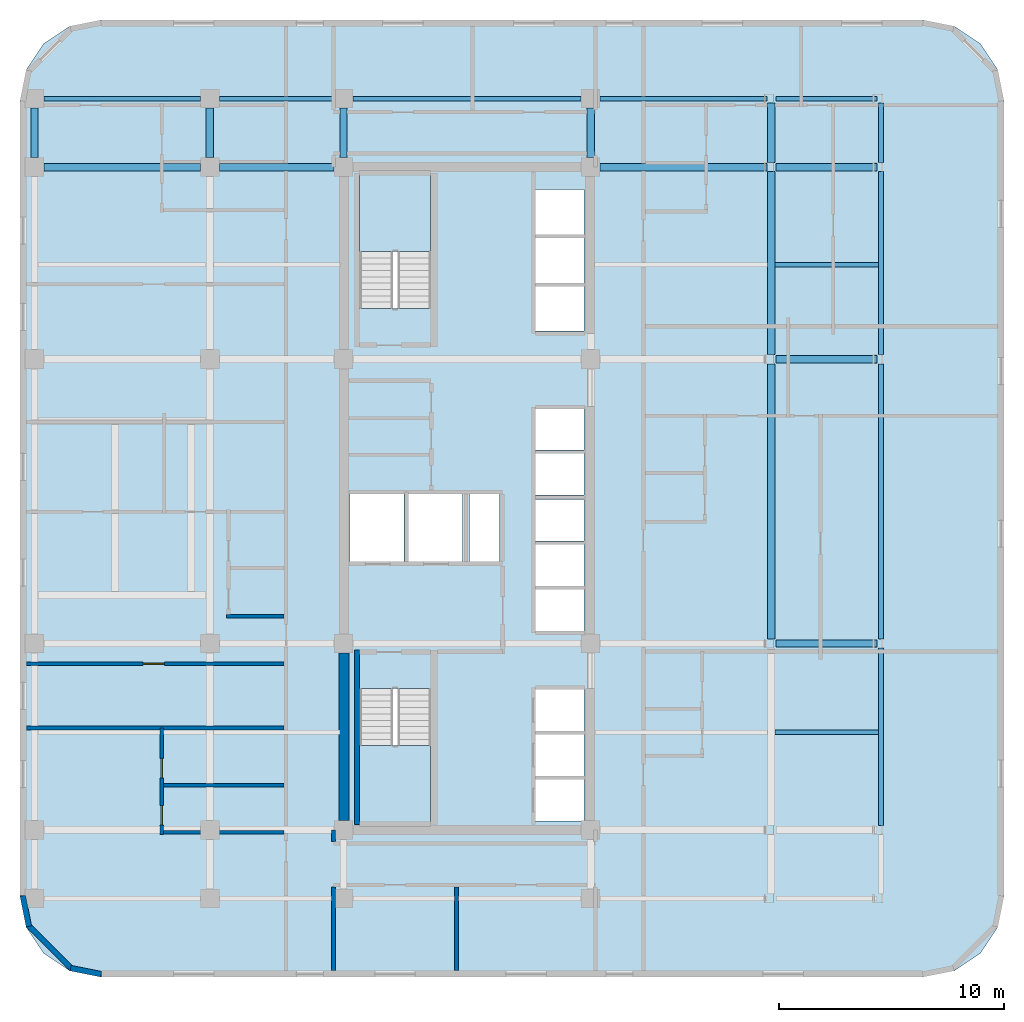
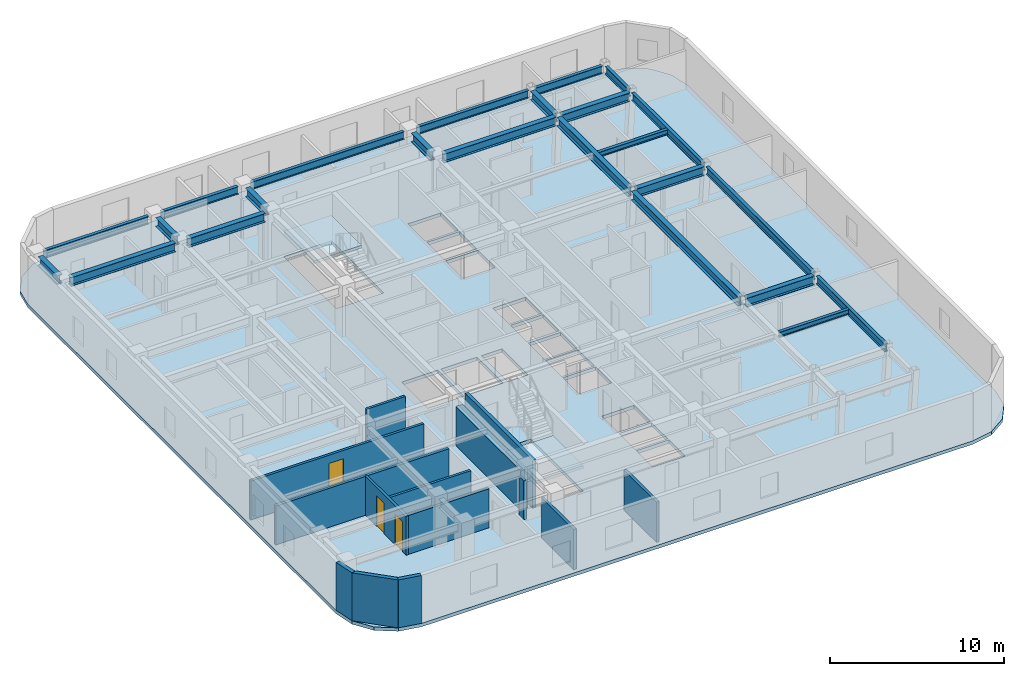
# One storey, part 2 of 8: 24 beams, 14 walls, 3 doors, 3 slabs, 3 openings, 2 elements without a shape of their own.
"""IFC4 building model written with IfcOpenShell, lengths in metres."""

from ifc_helpers import new_model, si_unit, direction, frame, frame_2d, origin, origin_2d, place, context, subcontext, project, spatial, polyline, rectangle, i_section, outline, extrude, material, layer, layer_set, material_profile, profile_set, type_object, element, fill, aggregate, save


model = new_model("IFC4")

# Units and contexts
model_context = context("Model", 3, precision=1e-05, world=origin(), true_north=direction((0.0, 1.0)))
body_context = subcontext(model_context, "Body", "Model", "MODEL_VIEW")
ifc_project = project(units=[si_unit("LENGTHUNIT", "METRE"), si_unit("AREAUNIT", "SQUARE_METRE"), si_unit("VOLUMEUNIT", "CUBIC_METRE"), si_unit("PLANEANGLEUNIT", "RADIAN"), si_unit("MASSUNIT", "GRAM", prefix="KILO")], contexts=[model_context])

# Site, building, storey
site_placement = place(None, origin())
site = spatial("IfcSite", under=ifc_project, at=site_placement, CompositionType="ELEMENT")
building_placement = place(site_placement, origin())
building = spatial("IfcBuilding", under=site, at=building_placement, Name="Ochreholt Gables", CompositionType="ELEMENT")
storey_placement = place(building_placement, frame((0.0, 0.0, 91.199951171875)))
storey = spatial("IfcBuildingStorey", under=building, at=storey_placement, Name="L23", CompositionType="ELEMENT", Elevation=91.199951171875)

# Beams
ifc_material_1 = material(Name="Steel CSA G40.21 350W", Category="steel")
ifc_material_profile_1 = material_profile(ifc_material_1, i_section(OverallWidth=0.323974609375, OverallDepth=0.611083984375, WebThickness=0.0126953125, FlangeThickness=0.01904296875, at=origin_2d()), Name="W610X155")
ifc_profile_set_1 = profile_set([ifc_material_profile_1], Name="Steel CSA G40.21 350W")
beam_type_1 = type_object("IfcBeamType", Name="BM-G-W610A", PredefinedType="BEAM", material=ifc_profile_set_1)
for number, where, z_axis, x_axis, name in (
    (1, (43.45654296875, 17.550048828125, 3.054443359375), (1.0, 0.0, 0.0), (0.0, 1.0, 0.0), "L23 Beam TBG-L23-EMEE-Y3"),
    (2, (43.45654296875, 30.199951171875, 3.054443359375), (1.0, 0.0, 0.0), (0.0, 1.0, 0.0), "L23 Beam TBG-L23-EMEE-Y4"),
):
    element("IfcBeam", number, at=place(storey_placement, frame(where, z_axis=z_axis, x_axis=x_axis)), inside=storey, type_object=beam_type_1, Name=name, PredefinedType="BEAM", context=body_context, shape_type="SweptSolid", body=[
        extrude(i_section(OverallWidth=0.323974609375, OverallDepth=0.611083984375, WebThickness=0.0126953125, FlangeThickness=0.01904296875, at=origin_2d()), origin(), (0.0, 0.0, 1.0), 4.49609375),
    ])
beam_1_placement = place(storey_placement, frame((10.87451171875, 38.75, 3.054443359375), z_axis=(1.0, 0.0, 0.0), x_axis=(0.0, 1.0, 0.0)))
element("IfcBeam", 3, at=beam_1_placement, inside=storey, type_object=beam_type_1, Name="L23 Beam TBG-L23-W2W3-Y5", PredefinedType="BEAM", context=body_context, shape_type="SweptSolid", body=[
    extrude(i_section(OverallWidth=0.323974609375, OverallDepth=0.611083984375, WebThickness=0.0126953125, FlangeThickness=0.01904296875, at=origin_2d()), origin(), (0.0, 0.0, 1.0), 6.950927734375),
])
beam_2_placement = place(storey_placement, frame((18.674560546875, 38.75, 3.054443359375), z_axis=(1.0, 0.0, 0.0), x_axis=(0.0, 1.0, 0.0)))
element("IfcBeam", 4, at=beam_2_placement, inside=storey, type_object=beam_type_1, Name="L23 Beam TBG-L23-W3C1-Y5", PredefinedType="BEAM", context=body_context, shape_type="SweptSolid", body=[
    extrude(i_section(OverallWidth=0.323974609375, OverallDepth=0.611083984375, WebThickness=0.0126953125, FlangeThickness=0.01904296875, at=origin_2d()), origin(), (0.0, 0.0, 1.0), 5.100830078125),
])
beam_3_placement = place(storey_placement, frame((35.62451171875, 38.75, 3.054443359375), z_axis=(1.0, 0.0, 0.0), x_axis=(0.0, 1.0, 0.0)))
element("IfcBeam", 5, at=beam_3_placement, inside=storey, type_object=beam_type_1, Name="L23 Beam TBG-L23-C2EM-Y5", PredefinedType="BEAM", context=body_context, shape_type="SweptSolid", body=[
    extrude(i_section(OverallWidth=0.323974609375, OverallDepth=0.611083984375, WebThickness=0.0126953125, FlangeThickness=0.01904296875, at=origin_2d()), origin(), (0.0, 0.0, 1.0), 7.427001953125),
])
beam_4_placement = place(storey_placement, frame((43.45654296875, 38.75, 3.054443359375), z_axis=(1.0, 0.0, 0.0), x_axis=(0.0, 1.0, 0.0)))
element("IfcBeam", 6, at=beam_4_placement, inside=storey, type_object=beam_type_1, Name="L23 Beam TBG-L23-EMEE-Y5", PredefinedType="BEAM", context=body_context, shape_type="SweptSolid", body=[
    extrude(i_section(OverallWidth=0.323974609375, OverallDepth=0.611083984375, WebThickness=0.0126953125, FlangeThickness=0.01904296875, at=origin_2d()), origin(), (0.0, 0.0, 1.0), 4.49609375),
])
for number, where, z_axis, x_axis, name in (
    (7, (10.449951171875, 39.174560546875, 3.054443359375), (0.0, 1.0, 0.0), (-1.0, 0.0, 0.0), "L23 Beam TBN-L23-W2-Y5Y6"),
    (8, (18.25, 39.174560546875, 3.054443359375), (0.0, 1.0, 0.0), (-1.0, 0.0, 0.0), "L23 Beam TBN-L23-W3-Y5Y6"),
    (9, (24.199951171875, 39.174560546875, 3.054443359375), (0.0, 1.0, 0.0), (-1.0, 0.0, 0.0), "L23 Beam TBN-L23-C1-Y5Y6"),
    (10, (35.199951171875, 39.174560546875, 3.054443359375), (0.0, 1.0, 0.0), (-1.0, 0.0, 0.0), "L23 Beam TBN-L23-C2-Y5Y6"),
):
    element("IfcBeam", number, at=place(storey_placement, frame(where, z_axis=z_axis, x_axis=x_axis)), inside=storey, type_object=beam_type_1, Name=name, PredefinedType="BEAM", context=body_context, shape_type="SweptSolid", body=[
        extrude(i_section(OverallWidth=0.323974609375, OverallDepth=0.611083984375, WebThickness=0.0126953125, FlangeThickness=0.01904296875, at=origin_2d()), origin(), (0.0, 0.0, 1.0), 2.200927734375),
    ])
beam_5_placement = place(storey_placement, frame((43.23681640625, 17.752685546875, 3.054443359375), z_axis=(0.0, 1.0, 0.0), x_axis=(-1.0, 0.0, 0.0)))
element("IfcBeam", 11, at=beam_5_placement, inside=storey, type_object=beam_type_1, Name="L23 Beam TBN-L23-EM-Y3Y4", PredefinedType="BEAM", context=body_context, shape_type="SweptSolid", body=[
    extrude(i_section(OverallWidth=0.323974609375, OverallDepth=0.611083984375, WebThickness=0.0126953125, FlangeThickness=0.01904296875, at=origin_2d()), origin(), (0.0, 0.0, 1.0), 12.24462890625),
])
beam_6_placement = place(storey_placement, frame((43.23681640625, 30.402587890625, 3.054443359375), z_axis=(0.0, 1.0, 0.0), x_axis=(-1.0, 0.0, 0.0)))
element("IfcBeam", 12, at=beam_6_placement, inside=storey, type_object=beam_type_1, Name="L23 Beam TBN-L23-EM-Y4Y5", PredefinedType="BEAM", context=body_context, shape_type="SweptSolid", body=[
    extrude(i_section(OverallWidth=0.323974609375, OverallDepth=0.611083984375, WebThickness=0.0126953125, FlangeThickness=0.01904296875, at=origin_2d()), origin(), (0.0, 0.0, 1.0), 8.144775390625),
])
beam_7_placement = place(storey_placement, frame((43.23681640625, 38.95263671875, 3.054443359375), z_axis=(0.0, 1.0, 0.0), x_axis=(-1.0, 0.0, 0.0)))
element("IfcBeam", 13, at=beam_7_placement, inside=storey, type_object=beam_type_1, Name="L23 Beam TBN-L23-EM-Y5Y6", PredefinedType="BEAM", context=body_context, shape_type="SweptSolid", body=[
    extrude(i_section(OverallWidth=0.323974609375, OverallDepth=0.611083984375, WebThickness=0.0126953125, FlangeThickness=0.01904296875, at=origin_2d()), origin(), (0.0, 0.0, 1.0), 2.644775390625),
])
ifc_material_profile_2 = material_profile(ifc_material_1, i_section(OverallWidth=0.205078125, OverallDepth=0.35400390625, WebThickness=0.009521484375, FlangeThickness=0.016845703125, at=origin_2d()), Name="W360X79")
ifc_profile_set_2 = profile_set([ifc_material_profile_2], Name="Steel CSA G40.21 350W")
beam_type_2 = type_object("IfcBeamType", Name="BM-J-W360A", PredefinedType="JOIST", material=ifc_profile_set_2)
for number, where, z_axis, x_axis, name in (
    (14, (43.3984375, 13.60009765625, 3.18310546875), (1.0, 0.0, 0.0), (0.0, 1.0, 0.0), "L23 Beam TBJ-L23-J1-EMEE"),
    (15, (43.3984375, 34.39990234375, 3.18310546875), (1.0, 0.0, 0.0), (0.0, 1.0, 0.0), "L23 Beam TBJ-L23-J2-EMEE"),
):
    element("IfcBeam", number, at=place(storey_placement, frame(where, z_axis=z_axis, x_axis=x_axis)), inside=storey, type_object=beam_type_2, Name=name, PredefinedType="JOIST", context=body_context, shape_type="SweptSolid", body=[
        extrude(i_section(OverallWidth=0.205078125, OverallDepth=0.35400390625, WebThickness=0.009521484375, FlangeThickness=0.016845703125, at=origin_2d()), origin(), (0.0, 0.0, 1.0), 4.624267578125),
    ])
ifc_material_profile_3 = material_profile(ifc_material_1, i_section(OverallWidth=0.208984375, OverallDepth=0.532958984375, WebThickness=0.01025390625, FlangeThickness=0.015625, at=origin_2d()), Name="W530X92")
ifc_profile_set_3 = profile_set([ifc_material_profile_3], Name="Steel CSA G40.21 350W")
beam_type_3 = type_object("IfcBeamType", Name="BM-SP-W530B", PredefinedType="SPANDREL", material=ifc_profile_set_3)
beam_8_placement = place(storey_placement, frame((10.87451171875, 41.800048828125, 3.093505859375), z_axis=(1.0, 0.0, 0.0), x_axis=(0.0, 1.0, 0.0)))
element("IfcBeam", 16, at=beam_8_placement, inside=storey, type_object=beam_type_3, Name="L23 Beam TBG-L23-W2W3-Y6", PredefinedType="SPANDREL", context=body_context, shape_type="SweptSolid", body=[
    extrude(i_section(OverallWidth=0.208984375, OverallDepth=0.532958984375, WebThickness=0.01025390625, FlangeThickness=0.015625, at=origin_2d()), origin(), (0.0, 0.0, 1.0), 6.950927734375),
])
beam_9_placement = place(storey_placement, frame((18.674560546875, 41.800048828125, 3.093505859375), z_axis=(1.0, 0.0, 0.0), x_axis=(0.0, 1.0, 0.0)))
element("IfcBeam", 17, at=beam_9_placement, inside=storey, type_object=beam_type_3, Name="L23 Beam TBG-L23-W3C1-Y6", PredefinedType="SPANDREL", context=body_context, shape_type="SweptSolid", body=[
    extrude(i_section(OverallWidth=0.208984375, OverallDepth=0.532958984375, WebThickness=0.01025390625, FlangeThickness=0.015625, at=origin_2d()), origin(), (0.0, 0.0, 1.0), 5.100830078125),
])
beam_10_placement = place(storey_placement, frame((24.62451171875, 41.800048828125, 3.093505859375), z_axis=(1.0, 0.0, 0.0), x_axis=(0.0, 1.0, 0.0)))
element("IfcBeam", 18, at=beam_10_placement, inside=storey, type_object=beam_type_3, Name="L23 Beam TBG-L23-C1C2-Y6", PredefinedType="SPANDREL", context=body_context, shape_type="SweptSolid", body=[
    extrude(i_section(OverallWidth=0.208984375, OverallDepth=0.532958984375, WebThickness=0.01025390625, FlangeThickness=0.015625, at=origin_2d()), origin(), (0.0, 0.0, 1.0), 10.15087890625),
])
beam_11_placement = place(storey_placement, frame((35.62451171875, 41.800048828125, 3.093505859375), z_axis=(1.0, 0.0, 0.0), x_axis=(0.0, 1.0, 0.0)))
element("IfcBeam", 19, at=beam_11_placement, inside=storey, type_object=beam_type_3, Name="L23 Beam TBG-L23-C2EM-Y6", PredefinedType="SPANDREL", context=body_context, shape_type="SweptSolid", body=[
    extrude(i_section(OverallWidth=0.208984375, OverallDepth=0.532958984375, WebThickness=0.01025390625, FlangeThickness=0.015625, at=origin_2d()), origin(), (0.0, 0.0, 1.0), 7.427001953125),
])
beam_12_placement = place(storey_placement, frame((43.45654296875, 41.800048828125, 3.093505859375), z_axis=(1.0, 0.0, 0.0), x_axis=(0.0, 1.0, 0.0)))
element("IfcBeam", 20, at=beam_12_placement, inside=storey, type_object=beam_type_3, Name="L23 Beam TBG-L23-EMEE-Y6", PredefinedType="SPANDREL", context=body_context, shape_type="SweptSolid", body=[
    extrude(i_section(OverallWidth=0.208984375, OverallDepth=0.532958984375, WebThickness=0.01025390625, FlangeThickness=0.015625, at=origin_2d()), origin(), (0.0, 0.0, 1.0), 4.49609375),
])
beam_13_placement = place(storey_placement, frame((48.126708984375, 9.45263671875, 3.093505859375), z_axis=(0.0, 1.0, 0.0), x_axis=(-1.0, 0.0, 0.0)))
element("IfcBeam", 21, at=beam_13_placement, inside=storey, type_object=beam_type_3, Name="L23 Beam TBN-L23-EE-Y2Y3", PredefinedType="SPANDREL", context=body_context, shape_type="SweptSolid", body=[
    extrude(i_section(OverallWidth=0.208984375, OverallDepth=0.532958984375, WebThickness=0.01025390625, FlangeThickness=0.015625, at=origin_2d()), origin(), (0.0, 0.0, 1.0), 7.894775390625),
])
beam_14_placement = place(storey_placement, frame((48.126708984375, 17.752685546875, 3.093505859375), z_axis=(0.0, 1.0, 0.0), x_axis=(-1.0, 0.0, 0.0)))
element("IfcBeam", 22, at=beam_14_placement, inside=storey, type_object=beam_type_3, Name="L23 Beam TBN-L23-EE-Y3Y4", PredefinedType="SPANDREL", context=body_context, shape_type="SweptSolid", body=[
    extrude(i_section(OverallWidth=0.208984375, OverallDepth=0.532958984375, WebThickness=0.01025390625, FlangeThickness=0.015625, at=origin_2d()), origin(), (0.0, 0.0, 1.0), 12.24462890625),
])
beam_15_placement = place(storey_placement, frame((48.126708984375, 30.402587890625, 3.093505859375), z_axis=(0.0, 1.0, 0.0), x_axis=(-1.0, 0.0, 0.0)))
element("IfcBeam", 23, at=beam_15_placement, inside=storey, type_object=beam_type_3, Name="L23 Beam TBN-L23-EE-Y4Y5", PredefinedType="SPANDREL", context=body_context, shape_type="SweptSolid", body=[
    extrude(i_section(OverallWidth=0.208984375, OverallDepth=0.532958984375, WebThickness=0.01025390625, FlangeThickness=0.015625, at=origin_2d()), origin(), (0.0, 0.0, 1.0), 8.144775390625),
])
beam_16_placement = place(storey_placement, frame((48.126708984375, 38.95263671875, 3.093505859375), z_axis=(0.0, 1.0, 0.0), x_axis=(-1.0, 0.0, 0.0)))
element("IfcBeam", 24, at=beam_16_placement, inside=storey, type_object=beam_type_3, Name="L23 Beam TBN-L23-EE-Y5Y6", PredefinedType="SPANDREL", context=body_context, shape_type="SweptSolid", body=[
    extrude(i_section(OverallWidth=0.208984375, OverallDepth=0.532958984375, WebThickness=0.01025390625, FlangeThickness=0.015625, at=origin_2d()), origin(), (0.0, 0.0, 1.0), 2.644775390625),
])

# Stair, slab
ifc_material_2 = material(Name="Concrete 40 MPa", Category="concrete")
stair_type_1 = type_object("IfcStairType", Name="STAIR-CORE-ST-1", PredefinedType="HALF_TURN_STAIR", material=ifc_material_2)
stair_1_placement = place(storey_placement, origin())
stair_1 = element("IfcStair", 25, at=stair_1_placement, inside=storey, type_object=stair_type_1, Name="L23 Core Exit Stair 1", PredefinedType="HALF_TURN_STAIR")
ifc_layer_1 = layer(ifc_material_2, 0.199951171875, Name="Concrete 40 MPa")
ifc_layer_set_1 = layer_set([ifc_layer_1], Name="Concrete 40 MPa")
slab_type_1 = type_object("IfcSlabType", Name="LANDING-RC200", PredefinedType="LANDING", material=ifc_layer_set_1)
slab_1_placement = place(storey_placement, frame((0.0, 0.0, 1.60009765625)))
slab_1 = element("IfcSlab", 26, at=slab_1_placement, type_object=slab_type_1, Name="ST-1 landing 1", PredefinedType="LANDING", context=body_context, shape_type="SweptSolid", body=[
    extrude(outline(polyline([(24.919921875, 13.001953125), (24.919921875, 9.52001953125), (28.080078125, 9.52001953125), (28.080078125, 13.001953125), (24.919921875, 13.001953125)])), origin(), (0.0, 0.0, 1.0), 0.199951171875),
])
aggregate(stair_1, [slab_1])

stair_type_2 = type_object("IfcStairType", Name="STAIR-CORE-ST-2", PredefinedType="HALF_TURN_STAIR", material=ifc_material_2)
stair_2_placement = place(storey_placement, origin())
stair_2 = element("IfcStair", 27, at=stair_2_placement, inside=storey, type_object=stair_type_2, Name="L23 Core Exit Stair 2", PredefinedType="HALF_TURN_STAIR")
slab_2_placement = place(storey_placement, frame((0.0, 0.0, 1.60009765625)))
slab_2 = element("IfcSlab", 28, at=slab_2_placement, type_object=slab_type_1, Name="ST-2 landing 1", PredefinedType="LANDING", context=body_context, shape_type="SweptSolid", body=[
    extrude(outline(polyline([(28.080078125, 34.998046875), (28.080078125, 38.47998046875), (24.919921875, 38.47998046875), (24.919921875, 34.998046875), (28.080078125, 34.998046875)])), origin(), (0.0, 0.0, 1.0), 0.199951171875),
])
aggregate(stair_2, [slab_2])

# Slab
ifc_layer_2 = layer(ifc_material_2, 0.239990234375, Name="Concrete 40 MPa")
ifc_layer_set_2 = layer_set([ifc_layer_2], Name="Concrete 40 MPa")
slab_type_2 = type_object("IfcSlabType", Name="SLAB-TWR-240", PredefinedType="FLOOR", material=ifc_layer_set_2)
slab_3_placement = place(storey_placement, frame((0.0, 0.0, -0.239990234375)))
element("IfcSlab", 29, at=slab_3_placement, inside=storey, type_object=slab_type_2, Name="L23 Structural Floor Slab", PredefinedType="FLOOR", context=body_context, shape_type="SweptSolid", body=[
    extrude(outline(polyline([(9.800048828125, 6.300048828125), (10.073974609375, 4.92236328125), (10.8544921875, 3.75439453125), (12.022216796875, 2.97412109375), (13.39990234375, 2.699951171875), (50.0, 2.699951171875), (51.377685546875, 2.97412109375), (52.545654296875, 3.75439453125), (53.325927734375, 4.92236328125), (53.60009765625, 6.300048828125), (53.60009765625, 41.699951171875), (53.325927734375, 43.07763671875), (52.545654296875, 44.24560546875), (51.377685546875, 45.02587890625), (50.0, 45.300048828125), (13.39990234375, 45.300048828125), (12.022216796875, 45.02587890625), (10.8544921875, 44.24560546875), (10.073974609375, 43.07763671875), (9.800048828125, 41.699951171875), (9.800048828125, 6.300048828125)]), holes=[polyline([(24.919921875, 15.539306640625), (24.919921875, 9.52001953125), (28.080078125, 9.52001953125), (28.080078125, 15.539306640625), (24.919921875, 15.539306640625)]), polyline([(28.080078125, 32.460693359375), (28.080078125, 38.47998046875), (24.919921875, 38.47998046875), (24.919921875, 32.460693359375), (28.080078125, 32.460693359375)]), polyline([(24.5, 21.199951171875), (26.89990234375, 21.199951171875), (26.89990234375, 24.199951171875), (24.5, 24.199951171875), (24.5, 21.199951171875)]), polyline([(27.10009765625, 21.199951171875), (29.5, 21.199951171875), (29.5, 24.199951171875), (27.10009765625, 24.199951171875), (27.10009765625, 21.199951171875)]), polyline([(32.75, 9.64990234375), (34.89990234375, 9.64990234375), (34.89990234375, 11.5), (32.75, 11.5), (32.75, 9.64990234375)]), polyline([(32.75, 11.64990234375), (34.89990234375, 11.64990234375), (34.89990234375, 13.5), (32.75, 13.5), (32.75, 11.64990234375)]), polyline([(32.75, 13.64990234375), (34.89990234375, 13.64990234375), (34.89990234375, 15.5), (32.75, 15.5), (32.75, 13.64990234375)]), polyline([(32.75, 18.10009765625), (34.89990234375, 18.10009765625), (34.89990234375, 19.949951171875), (32.75, 19.949951171875), (32.75, 18.10009765625)]), polyline([(32.75, 20.10009765625), (34.89990234375, 20.10009765625), (34.89990234375, 21.949951171875), (32.75, 21.949951171875), (32.75, 20.10009765625)]), polyline([(32.75, 22.10009765625), (34.89990234375, 22.10009765625), (34.89990234375, 23.949951171875), (32.75, 23.949951171875), (32.75, 22.10009765625)]), polyline([(32.75, 24.14990234375), (34.89990234375, 24.14990234375), (34.89990234375, 26.0), (32.75, 26.0), (32.75, 24.14990234375)]), polyline([(32.75, 26.14990234375), (34.89990234375, 26.14990234375), (34.89990234375, 28.0), (32.75, 28.0), (32.75, 26.14990234375)]), polyline([(32.75, 31.449951171875), (34.89990234375, 31.449951171875), (34.89990234375, 33.449951171875), (32.75, 33.449951171875), (32.75, 31.449951171875)]), polyline([(32.75, 33.60009765625), (34.89990234375, 33.60009765625), (34.89990234375, 35.60009765625), (32.75, 35.60009765625), (32.75, 33.60009765625)]), polyline([(32.75, 35.75), (34.89990234375, 35.75), (34.89990234375, 37.75), (32.75, 37.75), (32.75, 35.75)]), polyline([(29.800048828125, 21.199951171875), (31.14990234375, 21.199951171875), (31.14990234375, 24.199951171875), (29.800048828125, 24.199951171875), (29.800048828125, 21.199951171875)])]), origin(), (0.0, 0.0, 1.0), 0.239990234375),
])

# Walls
ifc_material_3 = material(Name="Concrete 60 MPa", Category="concrete")
ifc_layer_3 = layer(ifc_material_3, 0.449951171875, Name="Concrete 60 MPa")
ifc_layer_set_3 = layer_set([ifc_layer_3], Name="Concrete 60 MPa")
wall_type_1 = type_object("IfcWallType", Name="WALL-CSW-450", PredefinedType="SHEAR", material=ifc_layer_set_3)
wall_1_placement = place(storey_placement, frame((24.22509765625, 9.675048828125, 0.0), z_axis=(0.0, 0.0, 1.0), x_axis=(0.0, 1.0, 0.0)))
element("IfcWall", 30, at=wall_1_placement, inside=storey, type_object=wall_type_1, Name="L23 Core West Shear Wall WS", PredefinedType="SHEAR", context=body_context, shape_type="SweptSolid", body=[
    extrude(rectangle(XDim=7.449951171875, YDim=0.449951171875, at=frame_2d((3.72509765625, 0.0))), origin(), (0.0, 0.0, 1.0), 2.7490234375),
])
ifc_material_4 = material(Name="Precast concrete 40 MPa", Category="concrete")
ifc_layer_4 = layer(ifc_material_4, 0.25, Name="Precast concrete 40 MPa")
ifc_layer_set_4 = layer_set([ifc_layer_4], Name="Precast concrete 40 MPa")
wall_type_2 = type_object("IfcWallType", Name="WALL-EXT-CNR", PredefinedType="SOLIDWALL", material=ifc_layer_set_4)
wall_2_placement = place(storey_placement, frame((9.92431640625, 6.31640625, 0.0), z_axis=(0.0, 0.0, 1.0), x_axis=(0.195000137217, -0.980803214965, 0.0)))
element("IfcWall", 31, at=wall_2_placement, inside=storey, type_object=wall_type_2, Name="L23 Rounded Corner Wall SW-1", PredefinedType="SOLIDWALL", context=body_context, shape_type="SweptSolid", body=[
    extrude(rectangle(XDim=1.388427734375, YDim=0.25, at=frame_2d((0.6943359375, 0.0))), origin(), (0.0, 0.0, 1.0), 3.360107421875),
])
wall_3_placement = place(storey_placement, frame((10.16796875, 5.0048828125, 0.0), z_axis=(0.0, 0.0, 1.0), x_axis=(0.707151344399, -0.707062215165, 0.0)))
element("IfcWall", 32, at=wall_3_placement, inside=storey, type_object=wall_type_2, Name="L23 Rounded Corner Wall SW-2", PredefinedType="SOLIDWALL", context=body_context, shape_type="SweptSolid", body=[
    extrude(rectangle(XDim=2.7392578125, YDim=0.25, at=frame_2d((1.36962890625, 0.0))), origin(), (0.0, 0.0, 1.0), 3.360107421875),
])
wall_4_placement = place(storey_placement, frame((12.054443359375, 3.094970703125, 0.0), z_axis=(0.0, 0.0, 1.0), x_axis=(0.980809899341, -0.19496651342, 0.0)))
element("IfcWall", 33, at=wall_4_placement, inside=storey, type_object=wall_type_2, Name="L23 Rounded Corner Wall SW-3", PredefinedType="SOLIDWALL", context=body_context, shape_type="SweptSolid", body=[
    extrude(rectangle(XDim=1.388671875, YDim=0.25, at=frame_2d((0.6943359375, 0.0))), origin(), (0.0, 0.0, 1.0), 3.360107421875),
])
ifc_material_5 = material(Name="Fire-Rated Gypsum Acoustic Partition", Category="gypsum")
ifc_layer_5 = layer(ifc_material_5, 0.179931640625, Name="Fire-Rated Gypsum Acoustic Partition")
ifc_layer_set_5 = layer_set([ifc_layer_5], Name="Fire-Rated Gypsum Acoustic Partition")
wall_type_3 = type_object("IfcWallType", Name="WALL-INT-CR180", PredefinedType="STANDARD", material=ifc_layer_set_5)
wall_5_placement = place(storey_placement, frame((23.75, 8.739990234375, 0.0), z_axis=(0.0, 0.0, 1.0), x_axis=(0.0, 1.0, 0.0)))
element("IfcWall", 34, at=wall_5_placement, inside=storey, type_object=wall_type_3, Name="L23 Interior Wall WI-C1SWA2-L23", PredefinedType="STANDARD", context=body_context, shape_type="SweptSolid", body=[
    extrude(rectangle(XDim=0.510009765625, YDim=0.179931640625, at=frame_2d((0.2548828125, 0.0))), origin(), (0.0, 0.0, 1.0), 2.73095703125),
])
ifc_material_6 = material(Name="Double-Stud Acoustic Demising Wall", Category="gypsum")
ifc_layer_6 = layer(ifc_material_6, 0.179931640625, Name="Double-Stud Acoustic Demising Wall")
ifc_layer_set_6 = layer_set([ifc_layer_6], Name="Double-Stud Acoustic Demising Wall")
wall_type_4 = type_object("IfcWallType", Name="WALL-INT-DM180", PredefinedType="PARTITIONING", material=ifc_layer_set_6)
wall_6_placement = place(storey_placement, frame((10.080078125, 13.77587890625, 0.0), z_axis=(0.0, 0.0, 1.0), x_axis=(1.0, 0.0, 0.0)))
element("IfcWall", 35, at=wall_6_placement, inside=storey, type_object=wall_type_4, Name="L23 Interior Wall WI-UDW2-L23", PredefinedType="PARTITIONING", context=body_context, shape_type="SweptSolid", body=[
    extrude(rectangle(XDim=11.47998046875, YDim=0.179931640625, at=frame_2d((5.739990234375, 0.0))), origin(), (0.0, 0.0, 1.0), 2.73095703125),
])
for number, where, z_axis, x_axis, name in (
    (36, (23.75, 2.97998046875, 0.0), (0.0, 0.0, 1.0), (0.0, 1.0, 0.0), "L23 Interior Wall WI-C1SWA-L23"),
    (37, (29.23486328125, 2.97998046875, 0.0), (0.0, 0.0, 1.0), (0.0, 1.0, 0.0), "L23 Interior Wall WI-UDS-L23"),
):
    element("IfcWall", number, at=place(storey_placement, frame(where, z_axis=z_axis, x_axis=x_axis)), inside=storey, type_object=wall_type_4, Name=name, PredefinedType="PARTITIONING", context=body_context, shape_type="SweptSolid", body=[
        extrude(rectangle(XDim=3.72998046875, YDim=0.179931640625, at=frame_2d((1.864990234375, 0.0))), origin(), (0.0, 0.0, 1.0), 2.80908203125),
    ])
ifc_material_7 = material(Name="Moisture-Resistant Plumbing Chase Wall", Category="gypsum")
ifc_layer_7 = layer(ifc_material_7, 0.159912109375, Name="Moisture-Resistant Plumbing Chase Wall")
ifc_layer_set_7 = layer_set([ifc_layer_7], Name="Moisture-Resistant Plumbing Chase Wall")
wall_type_5 = type_object("IfcWallType", Name="WALL-INT-PL160", PredefinedType="PLUMBINGWALL", material=ifc_layer_set_7)
wall_7_placement = place(storey_placement, frame((16.030029296875, 9.135986328125, 0.0), z_axis=(0.0, 0.0, 1.0), x_axis=(1.0, 0.0, 0.0)))
element("IfcWall", 38, at=wall_7_placement, inside=storey, type_object=wall_type_5, Name="L23 Interior Wall WU-L23W1-WYS", PredefinedType="PLUMBINGWALL", context=body_context, shape_type="SweptSolid", body=[
    extrude(rectangle(XDim=5.530029296875, YDim=0.159912109375, at=frame_2d((2.76513671875, 0.0))), origin(), (0.0, 0.0, 1.0), 2.73095703125),
])

# Wall, openings, doors
wall_8_placement = place(storey_placement, frame((16.110107421875, 9.0458984375, 0.0), z_axis=(0.0, 0.0, 1.0), x_axis=(0.0, 1.0, 0.0)))
wall_8 = element("IfcWall", 39, at=wall_8_placement, inside=storey, type_object=wall_type_5, Name="L23 Interior Wall WU-L23W1-WX", PredefinedType="PLUMBINGWALL", context=body_context, shape_type="SweptSolid", body=[
    extrude(rectangle(XDim=4.72998046875, YDim=0.159912109375, at=frame_2d((2.364990234375, 0.0))), origin(), (0.0, 0.0, 1.0), 2.73095703125),
])
opening_1_placement = place(wall_8_placement, frame((0.419921875, 0.0, 0.0)))
opening_1 = element("IfcOpeningElement", 40, at=opening_1_placement, cuts=wall_8, Name="Opening D-BT1", PredefinedType="OPENING", context=body_context, shape_type="SweptSolid", body=[
    extrude(rectangle(XDim=0.860107421875, YDim=2.1201171875, at=frame_2d((0.43017578125, 1.06005859375))), frame((0.0, 0.08984375, 0.0), z_axis=(0.0, -1.0, 0.0), x_axis=(1.0, 0.0, 0.0)), (0.0, 0.0, 1.0), 0.179931640625),
])
opening_2_placement = place(wall_8_placement, frame((2.512939453125, 0.0, 0.0)))
opening_2 = element("IfcOpeningElement", 41, at=opening_2_placement, cuts=wall_8, Name="Opening D-GN2", PredefinedType="OPENING", context=body_context, shape_type="SweptSolid", body=[
    extrude(rectangle(XDim=0.8798828125, YDim=2.1201171875, at=frame_2d((0.43994140625, 1.06005859375))), frame((0.0, 0.08984375, 0.0), z_axis=(0.0, -1.0, 0.0), x_axis=(1.0, 0.0, 0.0)), (0.0, 0.0, 1.0), 0.179931640625),
])
ifc_material_8 = material(Name="Engineered Oak Timber", Category="wood")
door_type_1 = type_object("IfcDoorType", Name="DR-INT-BTH860", OperationType="NOTDEFINED", PredefinedType="DOOR", material=ifc_material_8)
door_1_placement = place(opening_1_placement, origin())
door_1 = element("IfcDoor", 42, at=door_1_placement, inside=storey, type_object=door_type_1, Name="L23 Door D-U-L23W1-BTH", OperationType="SINGLE_SWING_RIGHT", OverallHeight=2.1201171875, OverallWidth=0.860107421875, PredefinedType="DOOR", context=body_context, shape_type="SweptSolid", body=[
    extrude(rectangle(XDim=0.860107421875, YDim=2.1201171875, at=frame_2d((0.43017578125, 1.06005859375))), frame((0.0, 0.02490234375, 0.0), z_axis=(0.0, -1.0, 0.0), x_axis=(1.0, 0.0, 0.0)), (0.0, 0.0, 1.0), 0.050048828125),
])
fill(opening_1, door_1)
door_type_2 = type_object("IfcDoorType", Name="DR-INT-GEN880", OperationType="NOTDEFINED", PredefinedType="DOOR", material=ifc_material_8)
door_2_placement = place(opening_2_placement, origin())
door_2 = element("IfcDoor", 43, at=door_2_placement, inside=storey, type_object=door_type_2, Name="L23 Door D-U-L23W1-KIT", OperationType="SINGLE_SWING_LEFT", OverallHeight=2.1201171875, OverallWidth=0.8798828125, PredefinedType="DOOR", context=body_context, shape_type="SweptSolid", body=[
    extrude(rectangle(XDim=0.8798828125, YDim=2.1201171875, at=frame_2d((0.43994140625, 1.06005859375))), frame((0.0, 0.02490234375, 0.0), z_axis=(0.0, -1.0, 0.0), x_axis=(1.0, 0.0, 0.0)), (0.0, 0.0, 1.0), 0.050048828125),
])
fill(opening_2, door_2)

# Walls
wall_9_placement = place(storey_placement, frame((16.18994140625, 11.22900390625, 0.0), z_axis=(0.0, 0.0, 1.0), x_axis=(1.0, 0.0, 0.0)))
element("IfcWall", 44, at=wall_9_placement, inside=storey, type_object=wall_type_5, Name="L23 Interior Wall WU-L23W1-WM", PredefinedType="PLUMBINGWALL", context=body_context, shape_type="SweptSolid", body=[
    extrude(rectangle(XDim=5.3701171875, YDim=0.159912109375, at=frame_2d((2.68505859375, 0.0))), origin(), (0.0, 0.0, 1.0), 2.73095703125),
])
wall_10_placement = place(storey_placement, frame((19.0, 18.76806640625, 0.0), z_axis=(0.0, 0.0, 1.0), x_axis=(1.0, 0.0, 0.0)))
element("IfcWall", 45, at=wall_10_placement, inside=storey, type_object=wall_type_5, Name="L23 Interior Wall WU-L23W2-FYS", PredefinedType="PLUMBINGWALL", context=body_context, shape_type="SweptSolid", body=[
    extrude(rectangle(XDim=2.56005859375, YDim=0.159912109375, at=frame_2d((1.280029296875, 0.0))), origin(), (0.0, 0.0, 1.0), 3.360107421875),
])

# Wall, opening, door
ifc_material_9 = material(Name="Gypsum Acoustic Stud Partition", Category="gypsum")
ifc_layer_8 = layer(ifc_material_9, 0.159912109375, Name="Gypsum Acoustic Stud Partition")
ifc_layer_set_8 = layer_set([ifc_layer_8], Name="Gypsum Acoustic Stud Partition")
wall_type_6 = type_object("IfcWallType", Name="WALL-INT-PT160", PredefinedType="PARTITIONING", material=ifc_layer_set_8)
wall_11_placement = place(storey_placement, frame((10.080078125, 16.64990234375, 0.0), z_axis=(0.0, 0.0, 1.0), x_axis=(1.0, 0.0, 0.0)))
wall_11 = element("IfcWall", 46, at=wall_11_placement, inside=storey, type_object=wall_type_6, Name="L23 Interior Wall WU-L23W2-DNW", PredefinedType="PARTITIONING", context=body_context, shape_type="SweptSolid", body=[
    extrude(rectangle(XDim=11.47998046875, YDim=0.159912109375, at=frame_2d((5.739990234375, 0.0))), origin(), (0.0, 0.0, 1.0), 2.73095703125),
])
opening_3_placement = place(wall_11_placement, frame((5.195068359375, 0.0, 0.0)))
opening_3 = element("IfcOpeningElement", 47, at=opening_3_placement, cuts=wall_11, Name="Opening D-GN1", PredefinedType="OPENING", context=body_context, shape_type="SweptSolid", body=[
    extrude(rectangle(XDim=0.949951171875, YDim=2.14990234375, at=frame_2d((0.47509765625, 1.074951171875))), frame((0.0, 0.08984375, 0.0), z_axis=(0.0, -1.0, 0.0), x_axis=(1.0, 0.0, 0.0)), (0.0, 0.0, 1.0), 0.179931640625),
])
door_type_3 = type_object("IfcDoorType", Name="DR-INT-GEN950", OperationType="NOTDEFINED", PredefinedType="DOOR", material=ifc_material_8)
door_3_placement = place(opening_3_placement, origin())
door_3 = element("IfcDoor", 48, at=door_3_placement, inside=storey, type_object=door_type_3, Name="L23 Door D-U-L23W2-DIN", OperationType="SINGLE_SWING_LEFT", OverallHeight=2.14990234375, OverallWidth=0.949951171875, PredefinedType="DOOR", context=body_context, shape_type="SweptSolid", body=[
    extrude(rectangle(XDim=0.949951171875, YDim=2.14990234375, at=frame_2d((0.47509765625, 1.074951171875))), frame((0.0, 0.02490234375, 0.0), z_axis=(0.0, -1.0, 0.0), x_axis=(1.0, 0.0, 0.0)), (0.0, 0.0, 1.0), 0.050048828125),
])
fill(opening_3, door_3)

# Wall
ifc_material_10 = material(Name="Concrete 50 MPa", Category="concrete")
ifc_layer_9 = layer(ifc_material_10, 0.219970703125, Name="Concrete 50 MPa")
ifc_layer_set_9 = layer_set([ifc_layer_9], Name="Concrete 50 MPa")
wall_type_7 = type_object("IfcWallType", Name="WALL-STW-220", PredefinedType="SHEAR", material=ifc_layer_set_9)
wall_12_placement = place(storey_placement, frame((24.81005859375, 9.5, 0.0), z_axis=(0.0, 0.0, 1.0), x_axis=(0.0, 1.0, 0.0)))
element("IfcWall", 49, at=wall_12_placement, inside=storey, type_object=wall_type_7, Name="L23 Exit Stair 1 West Wall", PredefinedType="SHEAR", context=body_context, shape_type="SweptSolid", body=[
    extrude(rectangle(XDim=7.760009765625, YDim=0.219970703125, at=frame_2d((3.8798828125, 0.0))), origin(), (0.0, 0.0, 1.0), 3.360107421875),
])

save(model, "model.ifc")
